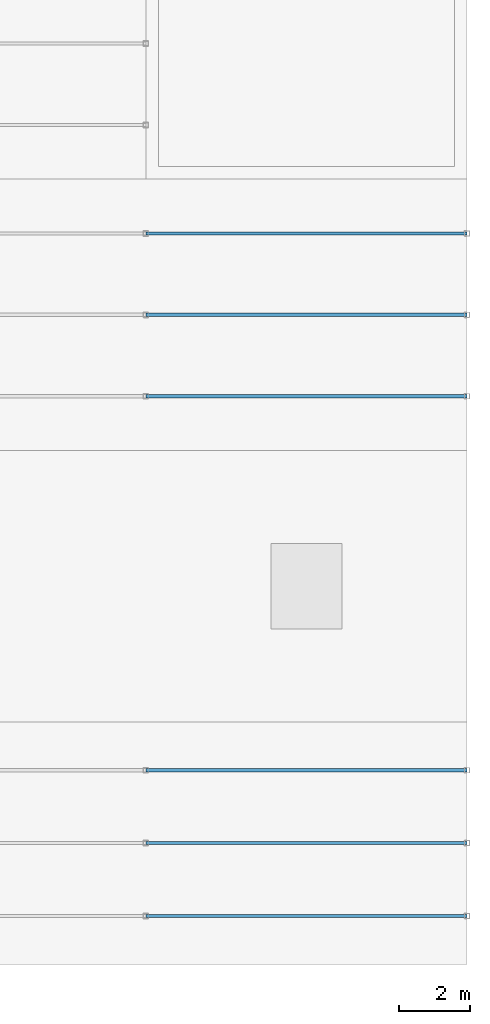
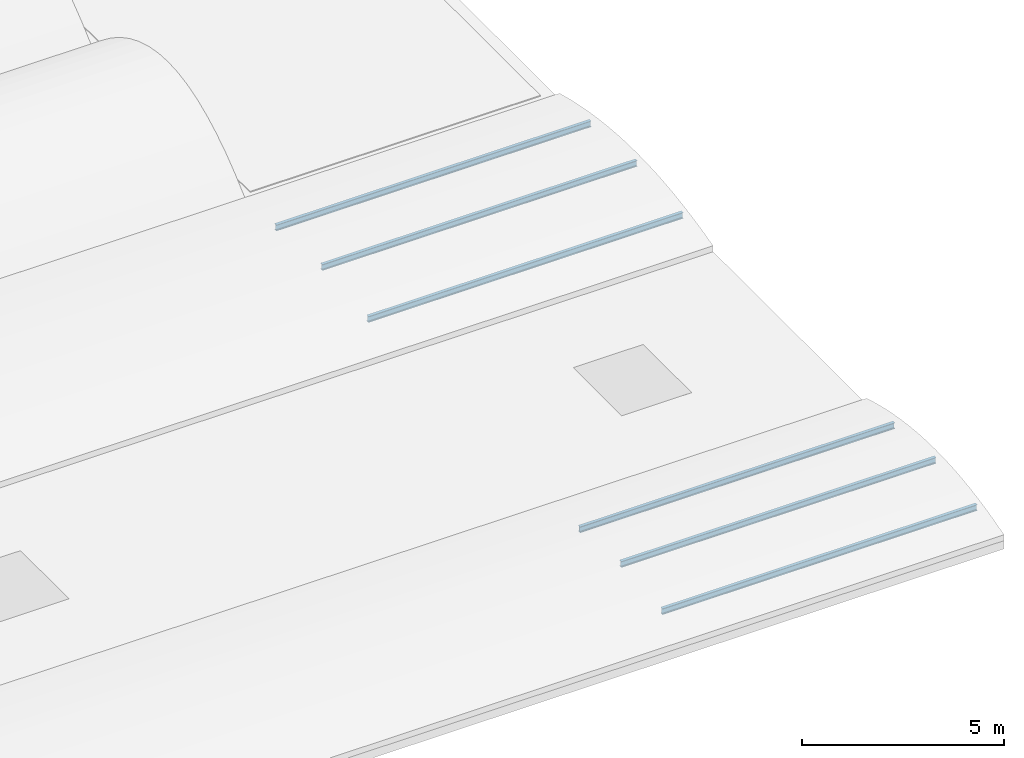
# One storey, part 17 of 46: 6 members.
"""IFC4 building model written with IfcOpenShell, lengths in metres."""

from ifc_helpers import new_model, si_unit, direction, frame, origin, origin_2d, place, context, subcontext, project, spatial, i_section, extrude, material, material_profile, profile_set, type_object, element, save


model = new_model("IFC4")

# Units and contexts
model_context = context("Model", 3, precision=1e-05, world=origin(), true_north=direction((0.0, 1.0)))
body_context = subcontext(model_context, "Body", "Model", "MODEL_VIEW")
ifc_project = project(units=[si_unit("LENGTHUNIT", "METRE"), si_unit("AREAUNIT", "SQUARE_METRE"), si_unit("VOLUMEUNIT", "CUBIC_METRE"), si_unit("PLANEANGLEUNIT", "RADIAN"), si_unit("MASSUNIT", "GRAM", prefix="KILO")], contexts=[model_context])

# Site, building, storey
site_placement = place(None, origin())
site = spatial("IfcSite", under=ifc_project, at=site_placement, CompositionType="ELEMENT")
building_placement = place(site_placement, origin())
building = spatial("IfcBuilding", under=site, at=building_placement, Name="Shalkamar Park Central Library", CompositionType="ELEMENT")
storey_placement = place(building_placement, frame((0.0, 0.0, 20.39990234375)))
storey = spatial("IfcBuildingStorey", under=building, at=storey_placement, Name="L05", CompositionType="ELEMENT", Elevation=20.39990234375)

# Members
ifc_material = material(Name="Steel S355", Category="steel")
ifc_material_profile = material_profile(ifc_material, i_section(OverallWidth=0.091064453125, OverallDepth=0.179931640625, WebThickness=0.00537109375, FlangeThickness=0.008056640625, FilletRadius=0.009033203125, at=origin_2d()), Name="IPE 180")
ifc_profile_set = profile_set([ifc_material_profile], Name="Steel S355")
member_type = type_object("IfcMemberType", Name="Roof Purlin IPE180", PredefinedType="PURLIN", material=ifc_profile_set)
for number, where, z_axis, x_axis, name in (
    (1, (255.0, 249.760009765625, 0.202880859375), (1.0, 0.0, 0.0), (0.0, 1.0, 0.0), "Barrel Roof Purlin BV-L04-S1-1.18"),
    (2, (255.0, 251.800048828125, 0.39013671875), (1.0, 0.0, 0.0), (0.0, 1.0, 0.0), "Barrel Roof Purlin BV-L04-S1-2.18"),
    (3, (255.0, 253.840087890625, 0.202880859375), (1.0, 0.0, 0.0), (0.0, 1.0, 0.0), "Barrel Roof Purlin BV-L04-S1-3.18"),
    (4, (255.0, 264.320068359375, 0.202880859375), (1.0, 0.0, 0.0), (0.0, 1.0, 0.0), "Barrel Roof Purlin BV-L04-S2-1.18"),
    (5, (255.0, 266.60009765625, 0.39013671875), (1.0, 0.0, 0.0), (0.0, 1.0, 0.0), "Barrel Roof Purlin BV-L04-S2-2.18"),
    (6, (255.0, 268.8798828125, 0.202880859375), (1.0, 0.0, 0.0), (0.0, 1.0, 0.0), "Barrel Roof Purlin BV-L04-S2-3.18"),
):
    element("IfcMember", number, at=place(storey_placement, frame(where, z_axis=z_axis, x_axis=x_axis)), inside=storey, type_object=member_type, Name=name, PredefinedType="PURLIN", context=body_context, shape_type="SweptSolid", body=[
        extrude(i_section(OverallWidth=0.091064453125, OverallDepth=0.179931640625, WebThickness=0.00537109375, FlangeThickness=0.008056640625, FilletRadius=0.009033203125, at=origin_2d()), origin(), (0.0, 0.0, 1.0), 9.0),
    ])

save(model, "model.ifc")
